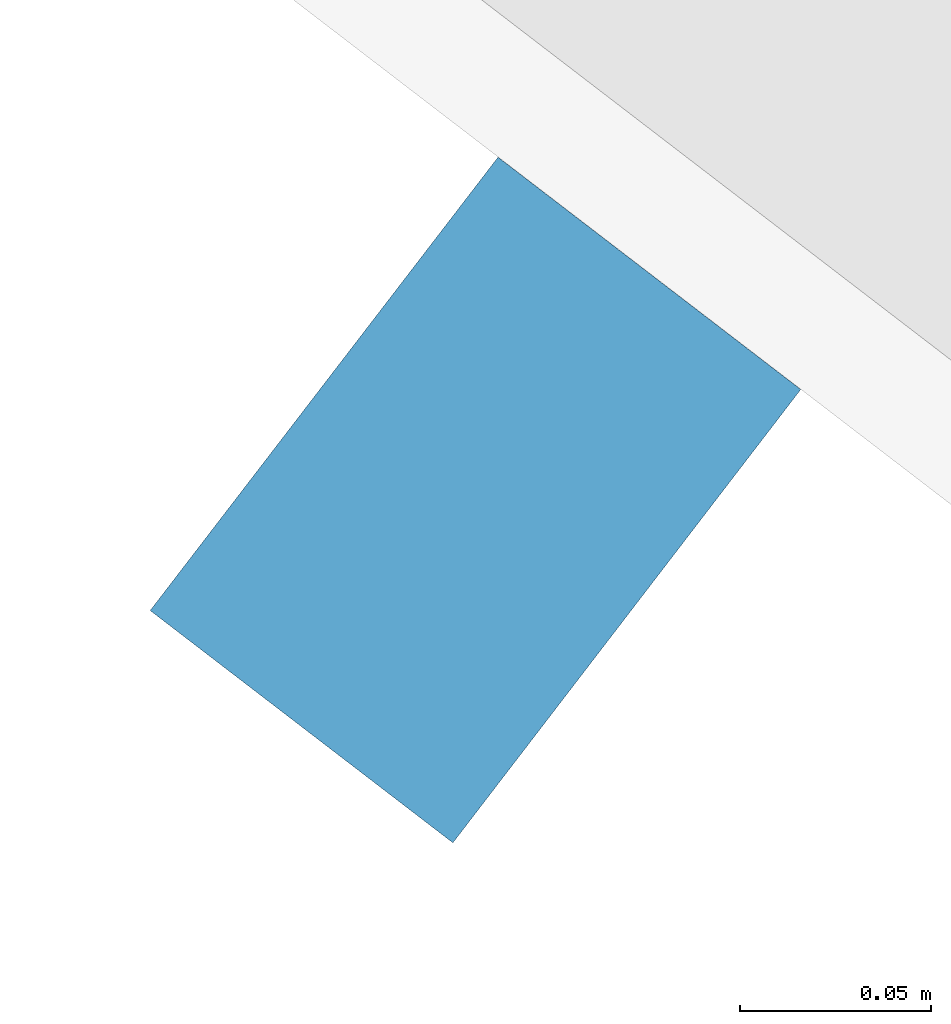
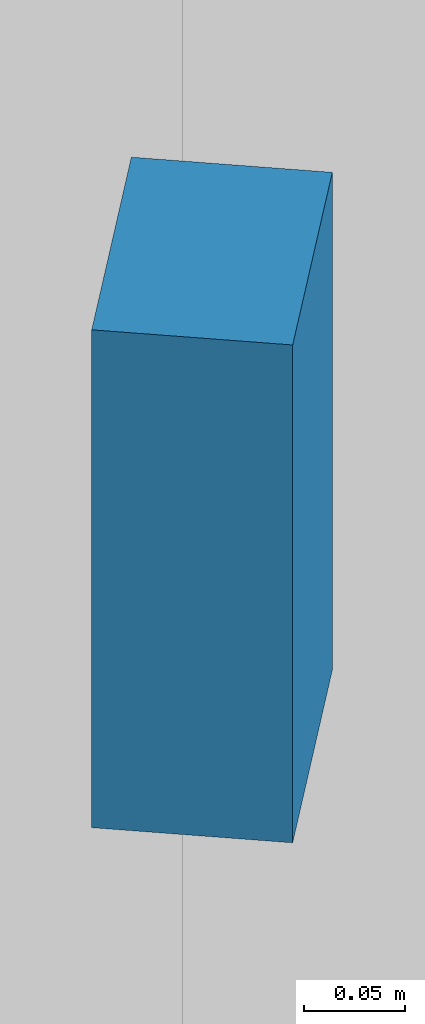
# One storey, part 9 of 28: 1 discrete accessory.
"""IFC4 building model written with IfcOpenShell, lengths in metres."""

from ifc_helpers import new_model, si_unit, direction, frame, origin, origin_2d, place, context, subcontext, project, spatial, rectangle, extrude, material, type_object, element, save


model = new_model("IFC4")

# Units and contexts
model_context = context("Model", 3, precision=1e-05, world=origin(), true_north=direction((0.0, 1.0)))
body_context = subcontext(model_context, "Body", "Model", "MODEL_VIEW")
ifc_project = project(units=[si_unit("LENGTHUNIT", "METRE"), si_unit("AREAUNIT", "SQUARE_METRE"), si_unit("VOLUMEUNIT", "CUBIC_METRE"), si_unit("PLANEANGLEUNIT", "RADIAN"), si_unit("MASSUNIT", "GRAM", prefix="KILO")], contexts=[model_context])

# Site, building, storey
site_placement = place(None, origin())
site = spatial("IfcSite", under=ifc_project, at=site_placement, CompositionType="ELEMENT")
building_placement = place(site_placement, origin())
building = spatial("IfcBuilding", under=site, at=building_placement, Name="Qamariyya Broadcast Tower", CompositionType="ELEMENT")
storey_placement = place(building_placement, frame((0.0, 0.0, 269.5)))
storey = spatial("IfcBuildingStorey", under=building, at=storey_placement, Name="L65", CompositionType="ELEMENT", Elevation=269.5)

# Discrete accessory
ifc_material = material(Name="Stainless steel 316", Category="steel")
discrete_accessory_type = type_object("IfcDiscreteAccessoryType", Name="Slab edge fixing angle, stainless steel", PredefinedType="BRACKET", material=ifc_material)
discrete_accessory_placement = place(storey_placement, frame((-50.68896484375, -59.74609375, 3.2998046875), z_axis=(0.0, 0.0, 1.0), x_axis=(0.793353340291, -0.608761429009, 0.0)))
element("IfcDiscreteAccessory", 1, at=discrete_accessory_placement, inside=storey, type_object=discrete_accessory_type, Name="e-br-L65-02-0", PredefinedType="BRACKET", context=body_context, shape_type="SweptSolid", body=[
    extrude(rectangle(XDim=0.10009765625, YDim=0.14990234375, at=origin_2d()), origin(), (0.0, 0.0, 1.0), 0.300048828125),
])

save(model, "model.ifc")
